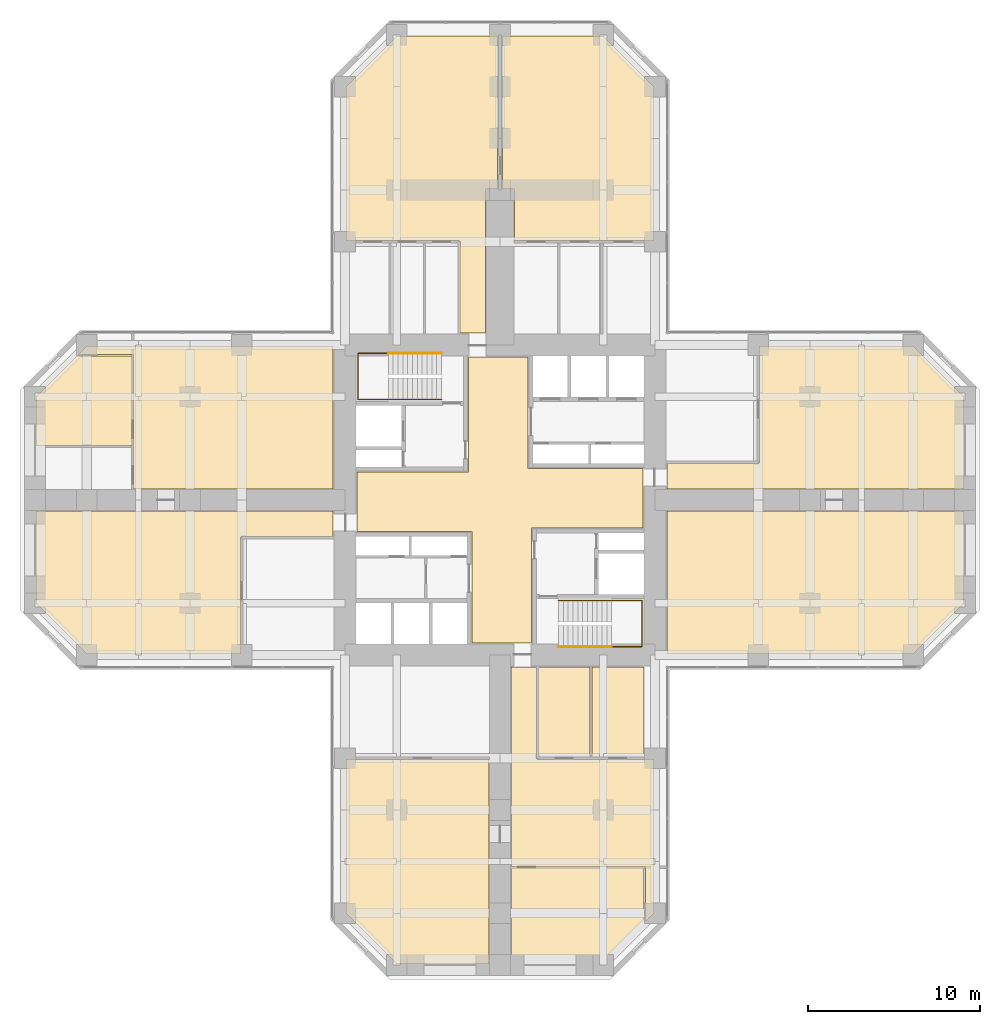
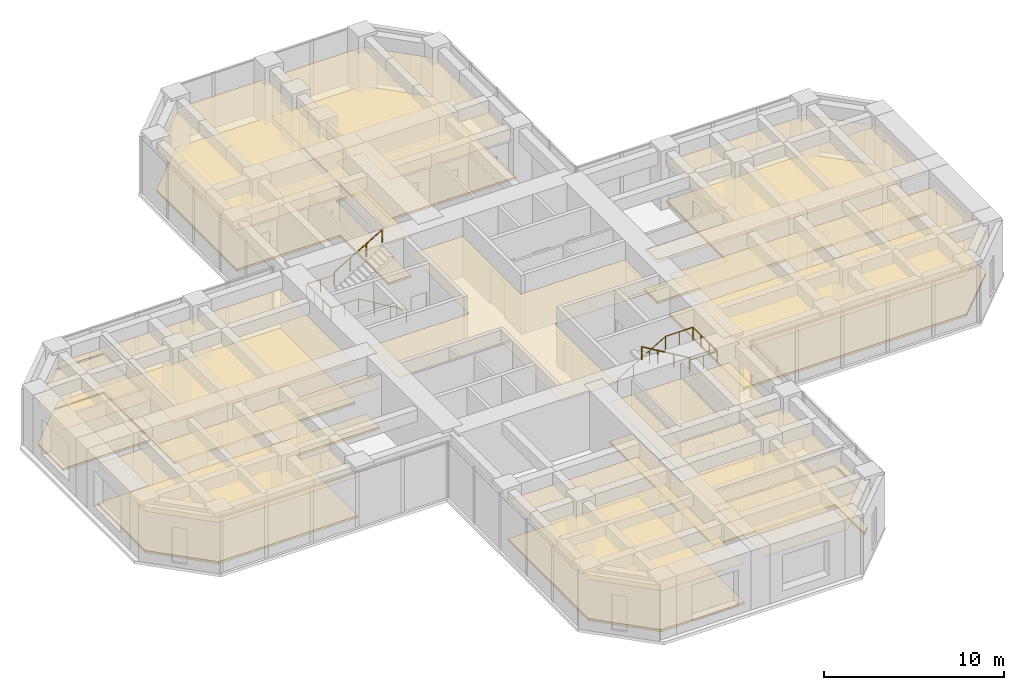
# One storey, part 12 of 12: 22 coverings, 4 railings.
"""IFC4 building model written with IfcOpenShell, lengths in metres."""

from ifc_helpers import new_model, si_unit, direction, frame, origin, origin_2d, place, context, subcontext, project, spatial, polyline, circle, outline, extrude, material, layer, layer_set, constituent, constituent_set, type_object, element, save


model = new_model("IFC4")

# Units and contexts
model_context = context("Model", 3, precision=1e-05, world=origin(), true_north=direction((0.0, 1.0)))
body_context = subcontext(model_context, "Body", "Model", "MODEL_VIEW")
ifc_project = project(units=[si_unit("LENGTHUNIT", "METRE"), si_unit("AREAUNIT", "SQUARE_METRE"), si_unit("VOLUMEUNIT", "CUBIC_METRE"), si_unit("PLANEANGLEUNIT", "RADIAN"), si_unit("MASSUNIT", "GRAM", prefix="KILO")], contexts=[model_context])

# Site, building, storey
site_placement = place(None, origin())
site = spatial("IfcSite", under=ifc_project, at=site_placement, CompositionType="ELEMENT")
building_placement = place(site_placement, origin())
building = spatial("IfcBuilding", under=site, at=building_placement, Name="Torre Cruceta", CompositionType="ELEMENT")
storey_placement = place(building_placement, frame((0.0, 0.0, 75.5)))
storey = spatial("IfcBuildingStorey", under=building, at=storey_placement, Name="L18", CompositionType="ELEMENT", Elevation=75.5)

# Railings
ifc_material_1 = material(Name="Stainless steel 1.4401", Category="steel")
railing_type = type_object("IfcRailingType", Name="HANDRAIL 900", PredefinedType="HANDRAIL", material=ifc_material_1)
railing_1_placement = place(storey_placement, frame((-3.39990234375, 5.8349609375, 0.166748046875)))
element("IfcRailing", 1, at=railing_1_placement, inside=storey, type_object=railing_type, Name="Handrail HR1 ST1 L18", PredefinedType="HANDRAIL", context=body_context, shape_type="SweptSolid", body=[
    extrude(circle(Radius=0.02392578125, at=origin_2d()), frame((0.0, 0.0, 0.8759765625), z_axis=(-0.859308565015, 0.0, 0.511457515432), x_axis=(0.0, -1.0, 0.0)), (0.0, 0.0, 1.0), 3.58447265625),
    extrude(circle(Radius=0.02392578125, at=origin_2d()), frame((-3.080078125, 0.0, 2.708984375), z_axis=(-1.0, 0.0, 0.0), x_axis=(0.0, -1.0, 0.0)), (0.0, 0.0, 1.0), 1.760009765625),
    extrude(circle(Radius=0.02392578125, at=origin_2d()), frame((-4.840087890625, 0.0, 2.708984375), z_axis=(0.0, 1.0, 0.0), x_axis=(-1.0, 0.0, 0.0)), (0.0, 0.0, 1.0), 2.679931640625),
    extrude(circle(Radius=0.02392578125, at=origin_2d()), frame((-4.840087890625, 2.679931640625, 2.708984375), z_axis=(1.0, 0.0, 0.0), x_axis=(0.0, 1.0, 0.0)), (0.0, 0.0, 1.0), 1.760009765625),
    extrude(circle(Radius=0.02099609375, at=origin_2d()), origin(), (0.0, 0.0, 1.0), 0.851806640625),
    extrude(circle(Radius=0.02099609375, at=origin_2d()), frame((-1.026611328125, 0.0, 0.611083984375)), (0.0, 0.0, 1.0), 0.851806640625),
    extrude(circle(Radius=0.02099609375, at=origin_2d()), frame((-2.053466796875, 0.0, 1.22216796875)), (0.0, 0.0, 1.0), 0.851806640625),
    extrude(circle(Radius=0.02099609375, at=origin_2d()), frame((-3.080078125, 0.0, 1.833251953125)), (0.0, 0.0, 1.0), 0.851806640625),
    extrude(circle(Radius=0.02099609375, at=origin_2d()), frame((-3.9599609375, 0.0, 1.833251953125)), (0.0, 0.0, 1.0), 0.851806640625),
    extrude(circle(Radius=0.02099609375, at=origin_2d()), frame((-4.840087890625, 0.0, 1.833251953125)), (0.0, 0.0, 1.0), 0.851806640625),
    extrude(circle(Radius=0.02099609375, at=origin_2d()), frame((-4.840087890625, 0.893310546875, 1.833251953125)), (0.0, 0.0, 1.0), 0.851806640625),
    extrude(circle(Radius=0.02099609375, at=origin_2d()), frame((-4.840087890625, 1.78662109375, 1.833251953125)), (0.0, 0.0, 1.0), 0.851806640625),
    extrude(circle(Radius=0.02099609375, at=origin_2d()), frame((-4.840087890625, 2.679931640625, 1.833251953125)), (0.0, 0.0, 1.0), 0.851806640625),
    extrude(circle(Radius=0.02099609375, at=origin_2d()), frame((-3.9599609375, 2.679931640625, 1.833251953125)), (0.0, 0.0, 1.0), 0.851806640625),
    extrude(circle(Radius=0.02099609375, at=origin_2d()), frame((-3.080078125, 2.679931640625, 1.833251953125)), (0.0, 0.0, 1.0), 0.851806640625),
])
railing_2_placement = place(storey_placement, frame((-6.47998046875, 8.514892578125, 2.166748046875)))
element("IfcRailing", 2, at=railing_2_placement, inside=storey, type_object=railing_type, Name="Handrail HR1 ST1 L18", PredefinedType="HANDRAIL", context=body_context, shape_type="SweptSolid", body=[
    extrude(circle(Radius=0.02392578125, at=origin_2d()), frame((0.0, 0.0, 0.8759765625), z_axis=(0.859308565015, 0.0, 0.511457515432), x_axis=(0.0, 1.0, 0.0)), (0.0, 0.0, 1.0), 3.58447265625),
    extrude(circle(Radius=0.02099609375, at=origin_2d()), origin(), (0.0, 0.0, 1.0), 0.851806640625),
    extrude(circle(Radius=0.02099609375, at=origin_2d()), frame((1.026611328125, 0.0, 0.611083984375)), (0.0, 0.0, 1.0), 0.851806640625),
    extrude(circle(Radius=0.02099609375, at=origin_2d()), frame((2.053466796875, 0.0, 1.22216796875)), (0.0, 0.0, 1.0), 0.851806640625),
    extrude(circle(Radius=0.02099609375, at=origin_2d()), frame((3.080078125, 0.0, 1.833251953125)), (0.0, 0.0, 1.0), 0.851806640625),
])
railing_3_placement = place(storey_placement, frame((3.39990234375, -5.8349609375, 0.166748046875)))
element("IfcRailing", 3, at=railing_3_placement, inside=storey, type_object=railing_type, Name="Handrail HR1 ST2 L18", PredefinedType="HANDRAIL", context=body_context, shape_type="SweptSolid", body=[
    extrude(circle(Radius=0.02392578125, at=origin_2d()), frame((0.0, 0.0, 0.8759765625), z_axis=(0.859308565015, 0.0, 0.511457515432), x_axis=(0.0, 1.0, 0.0)), (0.0, 0.0, 1.0), 3.58447265625),
    extrude(circle(Radius=0.02392578125, at=origin_2d()), frame((3.080078125, 0.0, 2.708984375), z_axis=(1.0, 0.0, 0.0), x_axis=(0.0, 1.0, 0.0)), (0.0, 0.0, 1.0), 1.760009765625),
    extrude(circle(Radius=0.02392578125, at=origin_2d()), frame((4.840087890625, 0.0, 2.708984375), z_axis=(0.0, -1.0, 0.0), x_axis=(1.0, 0.0, 0.0)), (0.0, 0.0, 1.0), 2.679931640625),
    extrude(circle(Radius=0.02392578125, at=origin_2d()), frame((4.840087890625, -2.679931640625, 2.708984375), z_axis=(-1.0, 0.0, 0.0), x_axis=(0.0, -1.0, 0.0)), (0.0, 0.0, 1.0), 1.760009765625),
    extrude(circle(Radius=0.02099609375, at=origin_2d()), origin(), (0.0, 0.0, 1.0), 0.851806640625),
    extrude(circle(Radius=0.02099609375, at=origin_2d()), frame((1.026611328125, 0.0, 0.611083984375)), (0.0, 0.0, 1.0), 0.851806640625),
    extrude(circle(Radius=0.02099609375, at=origin_2d()), frame((2.053466796875, 0.0, 1.22216796875)), (0.0, 0.0, 1.0), 0.851806640625),
    extrude(circle(Radius=0.02099609375, at=origin_2d()), frame((3.080078125, 0.0, 1.833251953125)), (0.0, 0.0, 1.0), 0.851806640625),
    extrude(circle(Radius=0.02099609375, at=origin_2d()), frame((3.9599609375, 0.0, 1.833251953125)), (0.0, 0.0, 1.0), 0.851806640625),
    extrude(circle(Radius=0.02099609375, at=origin_2d()), frame((4.840087890625, 0.0, 1.833251953125)), (0.0, 0.0, 1.0), 0.851806640625),
    extrude(circle(Radius=0.02099609375, at=origin_2d()), frame((4.840087890625, -0.893310546875, 1.833251953125)), (0.0, 0.0, 1.0), 0.851806640625),
    extrude(circle(Radius=0.02099609375, at=origin_2d()), frame((4.840087890625, -1.78662109375, 1.833251953125)), (0.0, 0.0, 1.0), 0.851806640625),
    extrude(circle(Radius=0.02099609375, at=origin_2d()), frame((4.840087890625, -2.679931640625, 1.833251953125)), (0.0, 0.0, 1.0), 0.851806640625),
    extrude(circle(Radius=0.02099609375, at=origin_2d()), frame((3.9599609375, -2.679931640625, 1.833251953125)), (0.0, 0.0, 1.0), 0.851806640625),
    extrude(circle(Radius=0.02099609375, at=origin_2d()), frame((3.080078125, -2.679931640625, 1.833251953125)), (0.0, 0.0, 1.0), 0.851806640625),
])
railing_4_placement = place(storey_placement, frame((6.47998046875, -8.514892578125, 2.166748046875)))
element("IfcRailing", 4, at=railing_4_placement, inside=storey, type_object=railing_type, Name="Handrail HR1 ST2 L18", PredefinedType="HANDRAIL", context=body_context, shape_type="SweptSolid", body=[
    extrude(circle(Radius=0.02392578125, at=origin_2d()), frame((0.0, 0.0, 0.8759765625), z_axis=(-0.859308565015, 0.0, 0.511457515432), x_axis=(0.0, -1.0, 0.0)), (0.0, 0.0, 1.0), 3.58447265625),
    extrude(circle(Radius=0.02099609375, at=origin_2d()), origin(), (0.0, 0.0, 1.0), 0.851806640625),
    extrude(circle(Radius=0.02099609375, at=origin_2d()), frame((-1.026611328125, 0.0, 0.611083984375)), (0.0, 0.0, 1.0), 0.851806640625),
    extrude(circle(Radius=0.02099609375, at=origin_2d()), frame((-2.053466796875, 0.0, 1.22216796875)), (0.0, 0.0, 1.0), 0.851806640625),
    extrude(circle(Radius=0.02099609375, at=origin_2d()), frame((-3.080078125, 0.0, 1.833251953125)), (0.0, 0.0, 1.0), 0.851806640625),
])

# Coverings
ifc_material_2 = material(Name="Steel DX51D", Category="steel")
ifc_constituent_1 = constituent(ifc_material_2, Name="Panel casing")
ifc_material_3 = material(Name="Calcium sulphate", Category="gypsum")
ifc_constituent_2 = constituent(ifc_material_3, Name="Panel core")
ifc_constituent_set = constituent_set(constituents=[ifc_constituent_1, ifc_constituent_2], Name="Raised access floor panel")
covering_type_1 = type_object("IfcCoveringType", Name="RAISED ACCESS FLOOR 150", PredefinedType="FLOORING", material=ifc_constituent_set)
covering_1_placement = place(storey_placement, origin())
element("IfcCovering", 5, at=covering_1_placement, inside=storey, type_object=covering_type_1, Name="Raised floor L18-029", PredefinedType="FLOORING", context=body_context, shape_type="SweptSolid", body=[
    extrude(outline(polyline([(-0.14990234375, 26.949951171875), (-0.14990234375, 18.050048828125), (-0.85009765625, 18.050048828125), (-0.85009765625, 9.699951171875), (-2.324951171875, 9.699951171875), (-2.324951171875, 15.050048828125), (-8.949951171875, 15.050048828125), (-8.949951171875, 23.979248046875), (-5.979248046875, 26.949951171875), (-0.14990234375, 26.949951171875)])), origin(), (0.0, 0.0, 1.0), 0.14990234375),
])
covering_2_placement = place(storey_placement, origin())
element("IfcCovering", 6, at=covering_2_placement, inside=storey, type_object=covering_type_1, Name="Raised floor L18-030", PredefinedType="FLOORING", context=body_context, shape_type="SweptSolid", body=[
    extrude(outline(polyline([(5.979248046875, 26.949951171875), (8.949951171875, 23.979248046875), (8.949951171875, 15.050048828125), (0.85009765625, 15.050048828125), (0.85009765625, 18.050048828125), (0.14990234375, 18.050048828125), (0.14990234375, 26.949951171875), (5.979248046875, 26.949951171875)])), origin(), (0.0, 0.0, 1.0), 0.14990234375),
])
covering_3_placement = place(storey_placement, origin())
element("IfcCovering", 7, at=covering_3_placement, inside=storey, type_object=covering_type_1, Name="Raised floor L18-032", PredefinedType="FLOORING", context=body_context, shape_type="SweptSolid", body=[
    extrude(outline(polyline([(26.949951171875, 5.979248046875), (26.949951171875, 0.64990234375), (9.699951171875, 0.64990234375), (9.699951171875, 2.125), (15.050048828125, 2.125), (15.050048828125, 8.949951171875), (23.979248046875, 8.949951171875), (26.949951171875, 5.979248046875)])), origin(), (0.0, 0.0, 1.0), 0.14990234375),
])
covering_4_placement = place(storey_placement, origin())
element("IfcCovering", 8, at=covering_4_placement, inside=storey, type_object=covering_type_1, Name="Raised floor L18-033", PredefinedType="FLOORING", context=body_context, shape_type="SweptSolid", body=[
    extrude(outline(polyline([(26.949951171875, -5.979248046875), (23.979248046875, -8.949951171875), (9.699951171875, -8.949951171875), (9.699951171875, -0.64990234375), (26.949951171875, -0.64990234375), (26.949951171875, -5.979248046875)])), origin(), (0.0, 0.0, 1.0), 0.14990234375),
])
covering_5_placement = place(storey_placement, origin())
element("IfcCovering", 9, at=covering_5_placement, inside=storey, type_object=covering_type_1, Name="Raised floor L18-038", PredefinedType="FLOORING", context=body_context, shape_type="SweptSolid", body=[
    extrude(outline(polyline([(2.125, -9.699951171875), (2.125, -15.050048828125), (8.949951171875, -15.050048828125), (8.949951171875, -23.979248046875), (8.449951171875, -24.479248046875), (8.449951171875, -21.27001953125), (0.64990234375, -21.27001953125), (0.64990234375, -9.699951171875), (2.125, -9.699951171875)])), origin(), (0.0, 0.0, 1.0), 0.14990234375),
])
covering_6_placement = place(storey_placement, origin())
element("IfcCovering", 10, at=covering_6_placement, inside=storey, type_object=covering_type_1, Name="Raised floor L18-039", PredefinedType="FLOORING", context=body_context, shape_type="SweptSolid", body=[
    extrude(outline(polyline([(-8.949951171875, -23.979248046875), (-8.949951171875, -15.050048828125), (-0.64990234375, -15.050048828125), (-0.64990234375, -26.949951171875), (-5.979248046875, -26.949951171875), (-8.949951171875, -23.979248046875)])), origin(), (0.0, 0.0, 1.0), 0.14990234375),
])
covering_7_placement = place(storey_placement, origin())
element("IfcCovering", 11, at=covering_7_placement, inside=storey, type_object=covering_type_1, Name="Raised floor L18-042", PredefinedType="FLOORING", context=body_context, shape_type="SweptSolid", body=[
    extrude(outline(polyline([(-24.579345703125, 8.35009765625), (-21.3701171875, 8.35009765625), (-21.3701171875, 3.16796875), (-26.949951171875, 3.16796875), (-26.949951171875, 5.979248046875), (-24.579345703125, 8.35009765625)])), origin(), (0.0, 0.0, 1.0), 0.14990234375),
])
covering_8_placement = place(storey_placement, origin())
element("IfcCovering", 12, at=covering_8_placement, inside=storey, type_object=covering_type_1, Name="Raised floor L18-043", PredefinedType="FLOORING", context=body_context, shape_type="SweptSolid", body=[
    extrude(outline(polyline([(-26.949951171875, -0.64990234375), (-9.699951171875, -0.64990234375), (-9.699951171875, -2.125), (-15.050048828125, -2.125), (-15.050048828125, -8.949951171875), (-23.979248046875, -8.949951171875), (-26.949951171875, -5.979248046875), (-26.949951171875, -0.64990234375)])), origin(), (0.0, 0.0, 1.0), 0.14990234375),
])
covering_9_placement = place(storey_placement, origin())
element("IfcCovering", 13, at=covering_9_placement, inside=storey, type_object=covering_type_1, Name="Raised floor L18-044", PredefinedType="FLOORING", context=body_context, shape_type="SweptSolid", body=[
    extrude(outline(polyline([(-21.27001953125, 8.449951171875), (-24.479248046875, 8.449951171875), (-23.979248046875, 8.949951171875), (-9.699951171875, 8.949951171875), (-9.699951171875, 0.64990234375), (-21.27001953125, 0.64990234375), (-21.27001953125, 8.449951171875)])), origin(), (0.0, 0.0, 1.0), 0.14990234375),
])
ifc_material_4 = material(Name="Mineral fibre ceiling tile", Category="gypsum")
ifc_layer = layer(ifc_material_4, 0.02001953125)
ifc_layer_set = layer_set([ifc_layer], Name="Mineral fibre ceiling tile")
covering_type_2 = type_object("IfcCoveringType", Name="SUSPENDED CEILING 20", PredefinedType="CEILING", material=ifc_layer_set)
covering_10_placement = place(storey_placement, frame((0.0, 0.0, 2.780029296875)))
element("IfcCovering", 14, at=covering_10_placement, inside=storey, type_object=covering_type_2, Name="Ceiling L18-001", PredefinedType="CEILING", context=body_context, shape_type="SweptSolid", body=[
    extrude(outline(polyline([(-1.625, -8.300048828125), (-1.625, -1.824951171875), (-8.300048828125, -1.824951171875), (-8.300048828125, 1.625), (-1.824951171875, 1.625), (-1.824951171875, 8.300048828125), (1.625, 8.300048828125), (1.625, 1.824951171875), (8.300048828125, 1.824951171875), (8.300048828125, -1.625), (1.824951171875, -1.625), (1.824951171875, -8.300048828125), (-1.625, -8.300048828125)])), origin(), (0.0, 0.0, 1.0), 0.02001953125),
])
covering_11_placement = place(storey_placement, frame((0.0, 0.0, 2.780029296875)))
element("IfcCovering", 15, at=covering_11_placement, inside=storey, type_object=covering_type_2, Name="Ceiling L18-029", PredefinedType="CEILING", context=body_context, shape_type="SweptSolid", body=[
    extrude(outline(polyline([(-0.14990234375, 26.949951171875), (-0.14990234375, 18.050048828125), (-0.85009765625, 18.050048828125), (-0.85009765625, 9.699951171875), (-2.324951171875, 9.699951171875), (-2.324951171875, 15.050048828125), (-8.949951171875, 15.050048828125), (-8.949951171875, 23.979248046875), (-5.979248046875, 26.949951171875), (-0.14990234375, 26.949951171875)])), origin(), (0.0, 0.0, 1.0), 0.02001953125),
])
covering_12_placement = place(storey_placement, frame((0.0, 0.0, 2.780029296875)))
element("IfcCovering", 16, at=covering_12_placement, inside=storey, type_object=covering_type_2, Name="Ceiling L18-030", PredefinedType="CEILING", context=body_context, shape_type="SweptSolid", body=[
    extrude(outline(polyline([(5.979248046875, 26.949951171875), (8.949951171875, 23.979248046875), (8.949951171875, 15.050048828125), (0.85009765625, 15.050048828125), (0.85009765625, 18.050048828125), (0.14990234375, 18.050048828125), (0.14990234375, 26.949951171875), (5.979248046875, 26.949951171875)])), origin(), (0.0, 0.0, 1.0), 0.02001953125),
])
covering_13_placement = place(storey_placement, frame((0.0, 0.0, 2.780029296875)))
element("IfcCovering", 17, at=covering_13_placement, inside=storey, type_object=covering_type_2, Name="Ceiling L18-032", PredefinedType="CEILING", context=body_context, shape_type="SweptSolid", body=[
    extrude(outline(polyline([(26.949951171875, 5.979248046875), (26.949951171875, 0.64990234375), (9.699951171875, 0.64990234375), (9.699951171875, 2.125), (15.050048828125, 2.125), (15.050048828125, 8.949951171875), (23.979248046875, 8.949951171875), (26.949951171875, 5.979248046875)])), origin(), (0.0, 0.0, 1.0), 0.02001953125),
])
covering_14_placement = place(storey_placement, frame((0.0, 0.0, 2.780029296875)))
element("IfcCovering", 18, at=covering_14_placement, inside=storey, type_object=covering_type_2, Name="Ceiling L18-033", PredefinedType="CEILING", context=body_context, shape_type="SweptSolid", body=[
    extrude(outline(polyline([(26.949951171875, -5.979248046875), (23.979248046875, -8.949951171875), (9.699951171875, -8.949951171875), (9.699951171875, -0.64990234375), (26.949951171875, -0.64990234375), (26.949951171875, -5.979248046875)])), origin(), (0.0, 0.0, 1.0), 0.02001953125),
])
covering_15_placement = place(storey_placement, frame((0.0, 0.0, 2.780029296875)))
element("IfcCovering", 19, at=covering_15_placement, inside=storey, type_object=covering_type_2, Name="Ceiling L18-034", PredefinedType="CEILING", context=body_context, shape_type="SweptSolid", body=[
    extrude(outline(polyline([(2.22509765625, -9.699951171875), (5.237548828125, -9.699951171875), (5.237548828125, -14.949951171875), (2.22509765625, -14.949951171875), (2.22509765625, -9.699951171875)])), origin(), (0.0, 0.0, 1.0), 0.02001953125),
])
covering_16_placement = place(storey_placement, frame((0.0, 0.0, 2.780029296875)))
element("IfcCovering", 20, at=covering_16_placement, inside=storey, type_object=covering_type_2, Name="Ceiling L18-035", PredefinedType="CEILING", context=body_context, shape_type="SweptSolid", body=[
    extrude(outline(polyline([(5.33740234375, -9.699951171875), (8.35009765625, -9.699951171875), (8.35009765625, -14.949951171875), (5.33740234375, -14.949951171875), (5.33740234375, -9.699951171875)])), origin(), (0.0, 0.0, 1.0), 0.02001953125),
])
covering_17_placement = place(storey_placement, frame((0.0, 0.0, 2.780029296875)))
element("IfcCovering", 21, at=covering_17_placement, inside=storey, type_object=covering_type_2, Name="Ceiling L18-037", PredefinedType="CEILING", context=body_context, shape_type="SweptSolid", body=[
    extrude(outline(polyline([(0.64990234375, -26.949951171875), (0.64990234375, -21.3701171875), (8.35009765625, -21.3701171875), (8.35009765625, -24.579345703125), (5.979248046875, -26.949951171875), (0.64990234375, -26.949951171875)])), origin(), (0.0, 0.0, 1.0), 0.02001953125),
])
covering_18_placement = place(storey_placement, frame((0.0, 0.0, 2.780029296875)))
element("IfcCovering", 22, at=covering_18_placement, inside=storey, type_object=covering_type_2, Name="Ceiling L18-038", PredefinedType="CEILING", context=body_context, shape_type="SweptSolid", body=[
    extrude(outline(polyline([(2.125, -9.699951171875), (2.125, -15.050048828125), (8.949951171875, -15.050048828125), (8.949951171875, -23.979248046875), (8.449951171875, -24.479248046875), (8.449951171875, -21.27001953125), (0.64990234375, -21.27001953125), (0.64990234375, -9.699951171875), (2.125, -9.699951171875)])), origin(), (0.0, 0.0, 1.0), 0.02001953125),
])
covering_19_placement = place(storey_placement, frame((0.0, 0.0, 2.780029296875)))
element("IfcCovering", 23, at=covering_19_placement, inside=storey, type_object=covering_type_2, Name="Ceiling L18-039", PredefinedType="CEILING", context=body_context, shape_type="SweptSolid", body=[
    extrude(outline(polyline([(-8.949951171875, -23.979248046875), (-8.949951171875, -15.050048828125), (-0.64990234375, -15.050048828125), (-0.64990234375, -26.949951171875), (-5.979248046875, -26.949951171875), (-8.949951171875, -23.979248046875)])), origin(), (0.0, 0.0, 1.0), 0.02001953125),
])
covering_20_placement = place(storey_placement, frame((0.0, 0.0, 2.780029296875)))
element("IfcCovering", 24, at=covering_20_placement, inside=storey, type_object=covering_type_2, Name="Ceiling L18-042", PredefinedType="CEILING", context=body_context, shape_type="SweptSolid", body=[
    extrude(outline(polyline([(-24.579345703125, 8.35009765625), (-21.3701171875, 8.35009765625), (-21.3701171875, 3.16796875), (-26.949951171875, 3.16796875), (-26.949951171875, 5.979248046875), (-24.579345703125, 8.35009765625)])), origin(), (0.0, 0.0, 1.0), 0.02001953125),
])
covering_21_placement = place(storey_placement, frame((0.0, 0.0, 2.780029296875)))
element("IfcCovering", 25, at=covering_21_placement, inside=storey, type_object=covering_type_2, Name="Ceiling L18-043", PredefinedType="CEILING", context=body_context, shape_type="SweptSolid", body=[
    extrude(outline(polyline([(-26.949951171875, -0.64990234375), (-9.699951171875, -0.64990234375), (-9.699951171875, -2.125), (-15.050048828125, -2.125), (-15.050048828125, -8.949951171875), (-23.979248046875, -8.949951171875), (-26.949951171875, -5.979248046875), (-26.949951171875, -0.64990234375)])), origin(), (0.0, 0.0, 1.0), 0.02001953125),
])
covering_22_placement = place(storey_placement, frame((0.0, 0.0, 2.780029296875)))
element("IfcCovering", 26, at=covering_22_placement, inside=storey, type_object=covering_type_2, Name="Ceiling L18-044", PredefinedType="CEILING", context=body_context, shape_type="SweptSolid", body=[
    extrude(outline(polyline([(-21.27001953125, 8.449951171875), (-24.479248046875, 8.449951171875), (-23.979248046875, 8.949951171875), (-9.699951171875, 8.949951171875), (-9.699951171875, 0.64990234375), (-21.27001953125, 0.64990234375), (-21.27001953125, 8.449951171875)])), origin(), (0.0, 0.0, 1.0), 0.02001953125),
])

save(model, "model.ifc")
